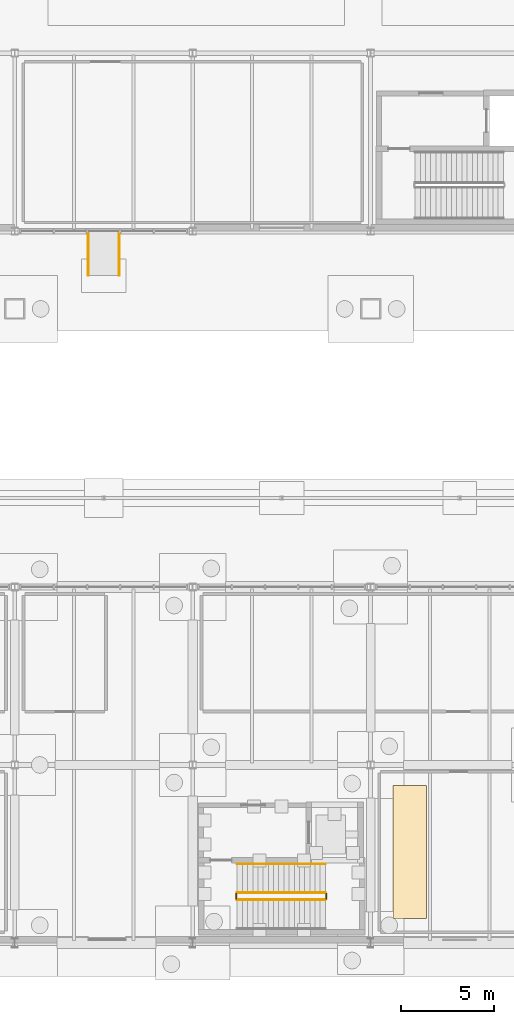
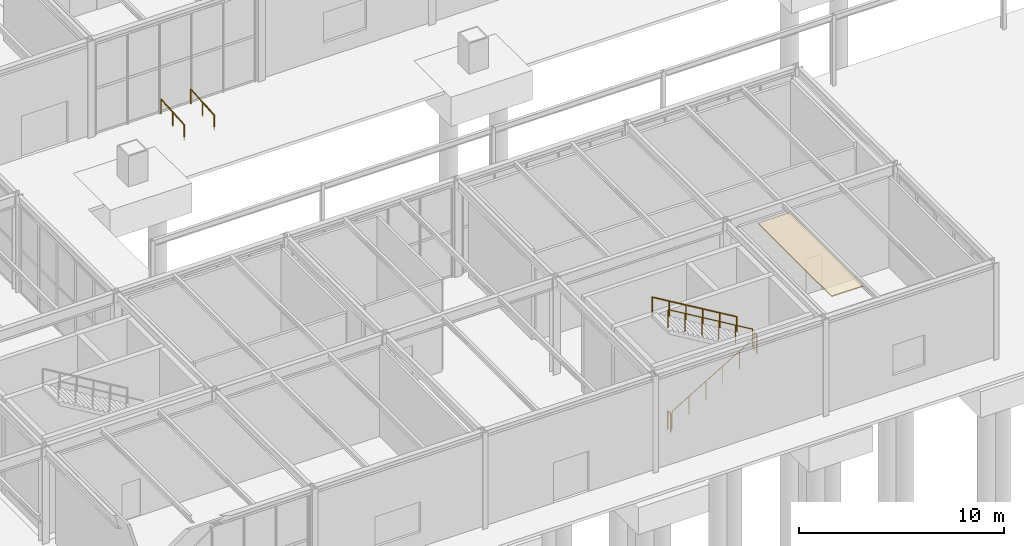
# One storey, part 132 of 142: 7 railings, 1 covering.
"""IFC4 building model written with IfcOpenShell, lengths in metres."""

from ifc_helpers import new_model, si_unit, direction, frame, origin, origin_2d, place, context, subcontext, project, spatial, polyline, circle, outline, extrude, material, layer, layer_set, type_object, element, save


model = new_model("IFC4")

# Units and contexts
model_context = context("Model", 3, precision=1e-05, world=origin(), true_north=direction((0.0, 1.0)))
body_context = subcontext(model_context, "Body", "Model", "MODEL_VIEW")
ifc_project = project(units=[si_unit("LENGTHUNIT", "METRE"), si_unit("AREAUNIT", "SQUARE_METRE"), si_unit("VOLUMEUNIT", "CUBIC_METRE"), si_unit("PLANEANGLEUNIT", "RADIAN"), si_unit("MASSUNIT", "GRAM", prefix="KILO")], contexts=[model_context])

# Site, building, storey
site_placement = place(None, origin())
site = spatial("IfcSite", under=ifc_project, at=site_placement, CompositionType="ELEMENT")
building_placement = place(site_placement, origin())
building = spatial("IfcBuilding", under=site, at=building_placement, Name="Coralgate Yard Interchange", CompositionType="ELEMENT")
storey_placement = place(building_placement, origin())
storey = spatial("IfcBuildingStorey", under=building, at=storey_placement, Name="L00", CompositionType="ELEMENT", Elevation=0.0)

# Covering
ifc_material_1 = material(Name="Mineral-fibre acoustic baffle ceiling panel")
ifc_layer = layer(ifc_material_1, 0.06005859375)
ifc_layer_set = layer_set([ifc_layer], Name="Mineral-fibre acoustic baffle ceiling panel")
covering_type = type_object("IfcCoveringType", Name="COV-CEL2", PredefinedType="CEILING", material=ifc_layer_set)
covering_placement = place(storey_placement, frame((0.0, 0.0, 5.72509765625)))
element("IfcCovering", 1, at=covering_placement, inside=storey, type_object=covering_type, Name="Station Duty Manager Office acoustic soffit panel", PredefinedType="CEILING", context=body_context, shape_type="SweptSolid", body=[
    extrude(outline(polyline([(87.610107421875, 1.31005859375), (89.39990234375, 1.31005859375), (89.39990234375, 8.489990234375), (87.610107421875, 8.489990234375), (87.610107421875, 1.31005859375)])), origin(), (0.0, 0.0, 1.0), 0.059814453125),
])

# Railings
ifc_material_2 = material(Name="Grade 316 marine stainless steel and toughened glass balustrade", Category="steel")
railing_type_1 = type_object("IfcRailingType", Name="RLG-GD1100", PredefinedType="BALUSTRADE", material=ifc_material_2)
railing_1_placement = place(storey_placement, frame((79.199951171875, 2.320068359375, 0.166748046875)))
element("IfcRailing", 2, at=railing_1_placement, inside=storey, type_object=railing_type_1, Name="L00 ST-04 stair guard 1", PredefinedType="BALUSTRADE", context=body_context, shape_type="SweptSolid", body=[
    extrude(circle(Radius=0.02392578125, at=origin_2d()), frame((0.0, 0.0, 1.076171875), z_axis=(0.859299802514, 0.0, 0.511472237174), x_axis=(0.0, 1.0, 0.0)), (0.0, 0.0, 1.0), 5.539306640625),
    extrude(circle(Radius=0.02099609375, at=origin_2d()), origin(), (0.0, 0.0, 1.0), 1.051513671875),
    extrude(circle(Radius=0.02099609375, at=origin_2d()), frame((0.951904296875, 0.0, 0.566650390625)), (0.0, 0.0, 1.0), 1.051513671875),
    extrude(circle(Radius=0.02099609375, at=origin_2d()), frame((1.904052734375, 0.0, 1.13330078125)), (0.0, 0.0, 1.0), 1.051513671875),
    extrude(circle(Radius=0.02099609375, at=origin_2d()), frame((2.85595703125, 0.0, 1.699951171875)), (0.0, 0.0, 1.0), 1.051513671875),
    extrude(circle(Radius=0.02099609375, at=origin_2d()), frame((3.80810546875, 0.0, 2.2666015625)), (0.0, 0.0, 1.0), 1.051513671875),
    extrude(circle(Radius=0.02099609375, at=origin_2d()), frame((4.760009765625, 0.0, 2.833251953125)), (0.0, 0.0, 1.0), 1.051513671875),
])
railing_2_placement = place(storey_placement, frame((84.010009765625, 2.3701171875, 3.0)))
element("IfcRailing", 3, at=railing_2_placement, inside=storey, type_object=railing_type_1, Name="L00 ST-04 stair guard 2", PredefinedType="BALUSTRADE", context=body_context, shape_type="SweptSolid", body=[
    extrude(circle(Radius=0.02392578125, at=origin_2d()), frame((0.0, 0.0, 1.076171875), z_axis=(0.0, 1.0, 0.0), x_axis=(-1.0, 0.0, 0.0)), (0.0, 0.0, 1.0), 0.289794921875),
    extrude(circle(Radius=0.02099609375, at=origin_2d()), origin(), (0.0, 0.0, 1.0), 1.051513671875),
    extrude(circle(Radius=0.02099609375, at=origin_2d()), frame((0.0, 0.289794921875, 0.0)), (0.0, 0.0, 1.0), 1.051513671875),
])
railing_3_placement = place(storey_placement, frame((83.9599609375, 2.7099609375, 3.166748046875)))
element("IfcRailing", 4, at=railing_3_placement, inside=storey, type_object=railing_type_1, Name="L00 ST-04 stair guard 3", PredefinedType="BALUSTRADE", context=body_context, shape_type="SweptSolid", body=[
    extrude(circle(Radius=0.02392578125, at=origin_2d()), frame((0.0, 0.0, 1.076171875), z_axis=(-0.859299802514, 0.0, 0.511472237174), x_axis=(0.0, -1.0, 0.0)), (0.0, 0.0, 1.0), 5.539306640625),
    extrude(circle(Radius=0.02099609375, at=origin_2d()), origin(), (0.0, 0.0, 1.0), 1.051513671875),
    extrude(circle(Radius=0.02099609375, at=origin_2d()), frame((-0.951904296875, 0.0, 0.566650390625)), (0.0, 0.0, 1.0), 1.051513671875),
    extrude(circle(Radius=0.02099609375, at=origin_2d()), frame((-1.904052734375, 0.0, 1.13330078125)), (0.0, 0.0, 1.0), 1.051513671875),
    extrude(circle(Radius=0.02099609375, at=origin_2d()), frame((-2.85595703125, 0.0, 1.699951171875)), (0.0, 0.0, 1.0), 1.051513671875),
    extrude(circle(Radius=0.02099609375, at=origin_2d()), frame((-3.80810546875, 0.0, 2.2666015625)), (0.0, 0.0, 1.0), 1.051513671875),
    extrude(circle(Radius=0.02099609375, at=origin_2d()), frame((-4.760009765625, 0.0, 2.833251953125)), (0.0, 0.0, 1.0), 1.051513671875),
])
railing_4_placement = place(storey_placement, frame((79.14990234375, 2.3701171875, 0.0)))
element("IfcRailing", 5, at=railing_4_placement, inside=storey, type_object=railing_type_1, Name="L00 ST-04 stair guard 4", PredefinedType="BALUSTRADE", context=body_context, shape_type="SweptSolid", body=[
    extrude(circle(Radius=0.02392578125, at=origin_2d()), frame((0.0, 0.0, 1.076171875), z_axis=(0.0, 1.0, 0.0), x_axis=(-1.0, 0.0, 0.0)), (0.0, 0.0, 1.0), 0.289794921875),
    extrude(circle(Radius=0.02099609375, at=origin_2d()), origin(), (0.0, 0.0, 1.0), 1.051513671875),
    extrude(circle(Radius=0.02099609375, at=origin_2d()), frame((0.0, 0.289794921875, 0.0)), (0.0, 0.0, 1.0), 1.051513671875),
])
ifc_material_3 = material(Name="Grade 316 marine stainless steel", Category="steel")
railing_type_2 = type_object("IfcRailingType", Name="RLG-HR900", PredefinedType="HANDRAIL", material=ifc_material_3)
railing_5_placement = place(storey_placement, frame((83.9599609375, 4.260009765625, 3.166748046875)))
element("IfcRailing", 6, at=railing_5_placement, inside=storey, type_object=railing_type_2, Name="L00 ST-04 stair handrail 2", PredefinedType="HANDRAIL", context=body_context, shape_type="SweptSolid", body=[
    extrude(circle(Radius=0.02392578125, at=origin_2d()), frame((0.0, 0.0, 0.8759765625), z_axis=(-0.859299802514, 0.0, 0.511472237174), x_axis=(0.0, -1.0, 0.0)), (0.0, 0.0, 1.0), 5.539306640625),
    extrude(circle(Radius=0.02099609375, at=origin_2d()), origin(), (0.0, 0.0, 1.0), 0.851318359375),
    extrude(circle(Radius=0.02099609375, at=origin_2d()), frame((-0.951904296875, 0.0, 0.566650390625)), (0.0, 0.0, 1.0), 0.851318359375),
    extrude(circle(Radius=0.02099609375, at=origin_2d()), frame((-1.904052734375, 0.0, 1.13330078125)), (0.0, 0.0, 1.0), 0.851318359375),
    extrude(circle(Radius=0.02099609375, at=origin_2d()), frame((-2.85595703125, 0.0, 1.699951171875)), (0.0, 0.0, 1.0), 0.851318359375),
    extrude(circle(Radius=0.02099609375, at=origin_2d()), frame((-3.80810546875, 0.0, 2.2666015625)), (0.0, 0.0, 1.0), 0.851318359375),
    extrude(circle(Radius=0.02099609375, at=origin_2d()), frame((-4.760009765625, 0.0, 2.833251953125)), (0.0, 0.0, 1.0), 0.851318359375),
])
for number, where, name in (
    (7, (71.159912109375, 36.0, -0.179931640625), "South courtyard west accessible ramp handrail L"),
    (8, (72.840087890625, 36.0, -0.179931640625), "South courtyard west accessible ramp handrail R"),
):
    element("IfcRailing", number, at=place(storey_placement, frame(where)), inside=storey, type_object=railing_type_2, Name=name, PredefinedType="HANDRAIL", context=body_context, shape_type="SweptSolid", body=[
        extrude(circle(Radius=0.02392578125, at=origin_2d()), frame((0.0, 0.0, 0.8759765625), z_axis=(0.0, 0.997202693388, 0.07474482122), x_axis=(-1.0, 0.0, 0.0)), (0.0, 0.0, 1.0), 2.286376953125),
        extrude(circle(Radius=0.02099609375, at=origin_2d()), origin(), (0.0, 0.0, 1.0), 0.851318359375),
        extrude(circle(Radius=0.02099609375, at=origin_2d()), frame((0.0, 1.14013671875, 0.08544921875)), (0.0, 0.0, 1.0), 0.851318359375),
        extrude(circle(Radius=0.02099609375, at=origin_2d()), frame((0.0, 2.280029296875, 0.1708984375)), (0.0, 0.0, 1.0), 0.851318359375),
    ])

save(model, "model.ifc")
